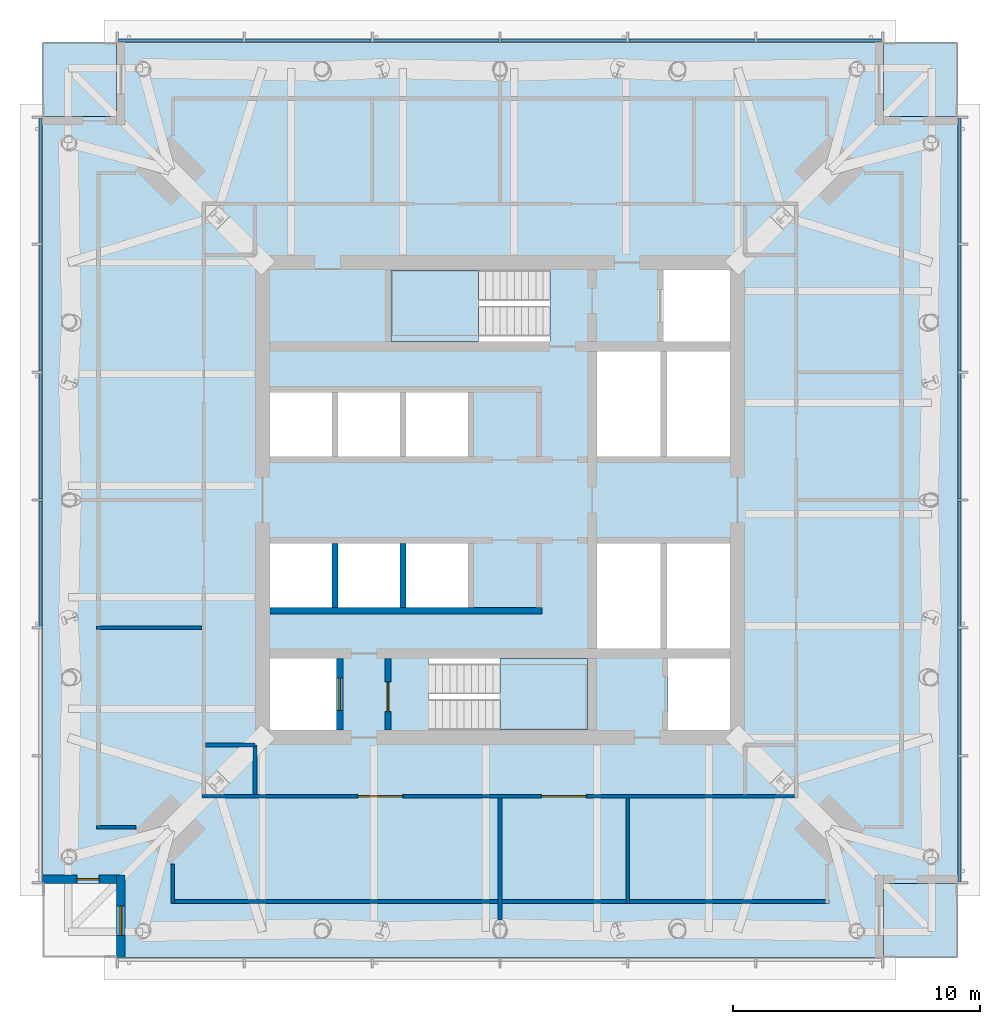
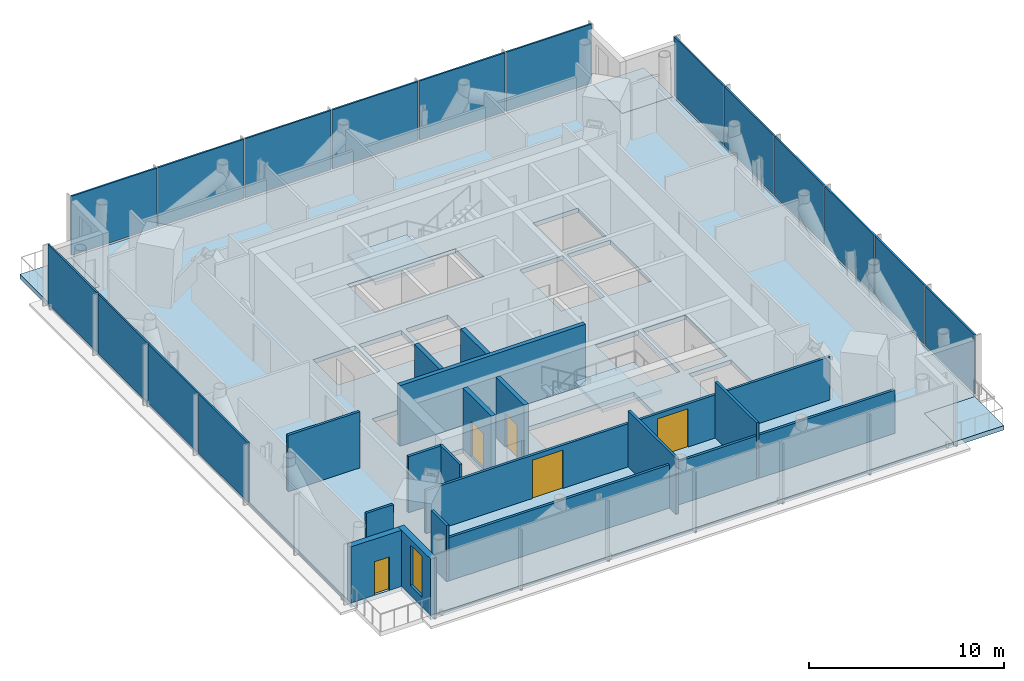
# One storey, part 4 of 10: 16 plates, 16 walls, 6 slabs, 5 doors, 1 window, 6 openings, 5 elements without a shape of their own.
"""IFC4 building model written with IfcOpenShell, lengths in metres."""

import ifcopenshell
import ifcopenshell.guid

model = None  # the IFC model being written
_history = None  # IfcOwnerHistory: only IFC2X3 demands one
_inside = {}  # id of a spatial element -> (the spatial element, [elements in it])
_under = {}  # id of a project, library or spatial element -> (it, [spatial elements below it])
_declared = {}  # id of a project -> (the project, [libraries it declares])
_typed = {}  # id of a type object -> (the type object, [elements of that type])
_made_of = {}  # id of a material, layer set ... -> (it, [elements and type objects made of it])


def new_model(schema):
    """Start an empty IFC model of exactly this schema.

    Asked for "IFC4X3", IfcOpenShell would pick the latest addendum, in which some entities
    have other attributes; the version numbers below select the first issue.
    IFC2X3 requires an IfcOwnerHistory on every rooted entity: one is made here for all.
    """
    global model, _history
    if schema == "IFC4X3":
        model = ifcopenshell.file(schema_version=(4, 3, 0, 0))
    else:
        model = ifcopenshell.file(schema=schema)
    _inside.clear()
    _under.clear()
    _declared.clear()
    _typed.clear()
    _made_of.clear()
    _history = None
    if model.schema == "IFC2X3":
        org = make("IfcOrganization", Name="unknown")
        user = make(
            "IfcPersonAndOrganization",
            ThePerson=make("IfcPerson", FamilyName="unknown"),
            TheOrganization=org,
        )
        app = make(
            "IfcApplication",
            ApplicationDeveloper=org,
            Version="unknown",
            ApplicationFullName="unknown",
            ApplicationIdentifier="unknown",
        )
        _history = make(
            "IfcOwnerHistory",
            OwningUser=user,
            OwningApplication=app,
            ChangeAction="ADDED",
            CreationDate=0,
        )
    return model


def make(cls, **values):
    """One entity of the class cls with the attributes given. An attribute that is None is left unset."""
    return model.create_entity(
        cls, **{name: value for name, value in values.items() if value is not None}
    )


def rooted(cls, **values):
    """An entity with a GlobalId (a new one), such as an element, a storey or a relation."""
    return make(cls, GlobalId=ifcopenshell.guid.new(), OwnerHistory=_history, **values)


def si_unit(unit_type, name, prefix=None):
    """IfcSIUnit, for example si_unit("LENGTHUNIT", "METRE", prefix="MILLI")."""
    return make("IfcSIUnit", UnitType=unit_type, Prefix=prefix, Name=name)


def assignment(units):
    """IfcUnitAssignment: the units of a project."""
    return None if units is None else make("IfcUnitAssignment", Units=units)


def point(xyz):
    """IfcCartesianPoint."""
    return None if xyz is None else make("IfcCartesianPoint", Coordinates=xyz)


def direction(xyz):
    """IfcDirection."""
    return None if xyz is None else make("IfcDirection", DirectionRatios=xyz)


def frame(location, z_axis=None, x_axis=None):
    """IfcAxis2Placement3D, a coordinate frame: its origin and axes. An axis left out is left unset."""
    return make(
        "IfcAxis2Placement3D",
        Location=point(location),
        Axis=direction(z_axis),
        RefDirection=direction(x_axis),
    )


def frame_2d(location, x_axis=None):
    """IfcAxis2Placement2D, a coordinate frame in the plane: its origin and x axis."""
    return make(
        "IfcAxis2Placement2D", Location=point(location), RefDirection=direction(x_axis)
    )


def origin():
    """The frame at (0, 0, 0) with its axes left unset."""
    return frame((0.0, 0.0, 0.0))


def origin_2d():
    """The frame at (0, 0) in the plane with its x axis left unset."""
    return frame_2d((0.0, 0.0))


def place(relative_to, where):
    """IfcLocalPlacement: puts the frame where relative to a parent placement (None: the world)."""
    return make(
        "IfcLocalPlacement", PlacementRelTo=relative_to, RelativePlacement=where
    )


def context(
    kind, dimensions, precision=None, world=None, true_north=None, identifier=None
):
    """IfcGeometricRepresentationContext, for example the 3D "Model" context."""
    return make(
        "IfcGeometricRepresentationContext",
        ContextIdentifier=identifier,
        ContextType=kind,
        CoordinateSpaceDimension=dimensions,
        Precision=precision,
        WorldCoordinateSystem=world,
        TrueNorth=true_north,
    )


def subcontext(parent, identifier, kind, view, scale=None):
    """IfcGeometricRepresentationSubContext, for example "Body" below "Model"."""
    return make(
        "IfcGeometricRepresentationSubContext",
        ContextIdentifier=identifier,
        ContextType=kind,
        ParentContext=parent,
        TargetScale=scale,
        TargetView=view,
    )


def project(units=None, contexts=None):
    """IfcProject with its units and contexts."""
    return rooted(
        "IfcProject",
        Name="project",
        RepresentationContexts=contexts,
        UnitsInContext=assignment(units),
    )


def spatial(cls, under=None, at=None, **own):
    """A site, building, storey or space (cls), placed at a placement, below another one or the project."""
    s = rooted(cls, ObjectPlacement=at, **own)
    if under is not None:
        _under.setdefault(under.id(), (under, []))[1].append(s)
    return s


def polyline(points):
    """IfcPolyline through the points."""
    return make("IfcPolyline", Points=[point(p) for p in points])


def profile(cls, at=None, kind="AREA", **sizes):
    """A parametric profile (cls). Its sizes go by their IFC names, for example OverallWidth=200.0."""
    return make(cls, ProfileType=kind, Position=at, **sizes)


def rectangle(**sizes):
    """IfcRectangleProfileDef."""
    return profile("IfcRectangleProfileDef", **sizes)


def outline(outer, holes=None, kind="AREA"):
    """IfcArbitraryClosedProfileDef: a profile drawn as a closed curve; with holes, ...WithVoids."""
    if holes is None:
        return make("IfcArbitraryClosedProfileDef", ProfileType=kind, OuterCurve=outer)
    return make(
        "IfcArbitraryProfileDefWithVoids",
        ProfileType=kind,
        OuterCurve=outer,
        InnerCurves=holes,
    )


def extrude(swept, where, along, depth):
    """IfcExtrudedAreaSolid: the profile swept, set in the frame where, extruded along a direction by depth."""
    return make(
        "IfcExtrudedAreaSolid",
        SweptArea=swept,
        Position=where,
        ExtrudedDirection=direction(along),
        Depth=depth,
    )


def shape(context_of_items, identifier, shape_type, items):
    """IfcShapeRepresentation: the items that make up one representation, for example the "Body"."""
    return make(
        "IfcShapeRepresentation",
        ContextOfItems=context_of_items,
        RepresentationIdentifier=identifier,
        RepresentationType=shape_type,
        Items=items,
    )


def material(Name=None, Category=None):
    """IfcMaterial."""
    return make("IfcMaterial", Name=Name, Category=Category)


def layer(
    of_material, thickness, ventilated=None, Name=None, Category=None, Priority=None
):
    """IfcMaterialLayer: one layer of a wall or slab, of a material (None: an air gap)."""
    return make(
        "IfcMaterialLayer",
        Material=of_material,
        LayerThickness=thickness,
        IsVentilated=ventilated,
        Name=Name,
        Category=Category,
        Priority=Priority,
    )


def layer_set(layers, Name=None):
    """IfcMaterialLayerSet."""
    return make("IfcMaterialLayerSet", MaterialLayers=layers, LayerSetName=Name)


def made_of(thing, what):
    """Note that an element or type object is made of a material, layer set ...; save() writes the relation."""
    if what is not None:
        _made_of.setdefault(what.id(), (what, []))[1].append(thing)
    return thing


def type_object(cls, material=None, **own):
    """A type object (cls), such as IfcWallType, which elements share."""
    return made_of(rooted(cls, **own), material)


def element(
    cls,
    number,
    at=None,
    inside=None,
    cuts=None,
    type_object=None,
    material=None,
    context=None,
    identifier="Body",
    shape_type=None,
    held_by="IfcProductDefinitionShape",
    body=None,
    shapes=None,
    **own,
):
    """One element of the class cls, such as IfcWall. Its Tag is "e" and its number.

    at: its placement. inside: the storey or other place that contains it. cuts: it is an
    opening in that element (IfcRelVoidsElement). A single representation is given by context,
    identifier, shape_type and body (its items); several are given by shapes. held_by: the class
    of the entity that holds the representations. save() writes the other relations.
    """
    e = rooted(cls, Tag="e%d" % number, ObjectPlacement=at, **own)
    if body is not None:
        shapes = [shape(context, identifier, shape_type, body)]
    if shapes is not None:
        e.Representation = make(held_by, Representations=shapes)
    if inside is not None:
        _inside.setdefault(inside.id(), (inside, []))[1].append(e)
    if cuts is not None:
        rooted(
            "IfcRelVoidsElement", RelatingBuildingElement=cuts, RelatedOpeningElement=e
        )
    if type_object is not None:
        _typed.setdefault(type_object.id(), (type_object, []))[1].append(e)
    return made_of(e, material)


def fill(opening, filler):
    """IfcRelFillsElement: the door or window that sits in an opening."""
    return rooted(
        "IfcRelFillsElement",
        RelatingOpeningElement=opening,
        RelatedBuildingElement=filler,
    )


def aggregate(whole, parts):
    """IfcRelAggregates: a whole, such as a stair, and the parts it consists of."""
    return rooted("IfcRelAggregates", RelatingObject=whole, RelatedObjects=parts)


def save(model, path):
    """Write the relations noted so far, then the file.

    IfcRelAggregates (storeys below a building ...), IfcRelContainedInSpatialStructure (elements
    in a storey), IfcRelDefinesByType, IfcRelAssociatesMaterial and IfcRelDeclares: one each for
    every whole, place, type object, material and project.
    """
    for whole, parts in _under.values():
        aggregate(whole, parts)
    for where, things in _inside.values():
        rooted(
            "IfcRelContainedInSpatialStructure",
            RelatedElements=things,
            RelatingStructure=where,
        )
    for kind, things in _typed.values():
        rooted("IfcRelDefinesByType", RelatedObjects=things, RelatingType=kind)
    for what, things in _made_of.values():
        rooted("IfcRelAssociatesMaterial", RelatedObjects=things, RelatingMaterial=what)
    for by, libraries in _declared.values():
        rooted("IfcRelDeclares", RelatingContext=by, RelatedDefinitions=libraries)
    model.write(path)


model = new_model("IFC4")

# Units and contexts
model_context = context("Model", 3, precision=1e-05, world=origin(), true_north=direction((0.0, 1.0)))
body_context = subcontext(model_context, "Body", "Model", "MODEL_VIEW")
ifc_project = project(units=[si_unit("LENGTHUNIT", "METRE"), si_unit("AREAUNIT", "SQUARE_METRE"), si_unit("VOLUMEUNIT", "CUBIC_METRE"), si_unit("PLANEANGLEUNIT", "RADIAN"), si_unit("MASSUNIT", "GRAM", prefix="KILO")], contexts=[model_context])

# Site, building, storey
site_placement = place(None, origin())
site = spatial("IfcSite", under=ifc_project, at=site_placement, CompositionType="ELEMENT")
building_placement = place(site_placement, origin())
building = spatial("IfcBuilding", under=site, at=building_placement, Name="Ostroluk Exchange", CompositionType="ELEMENT")
storey_placement = place(building_placement, frame((0.0, 0.0, 226.199951171875)))
storey = spatial("IfcBuildingStorey", under=building, at=storey_placement, Name="L58", CompositionType="ELEMENT", Elevation=226.199951171875)

# Curtain wall, plates
ifc_material_1 = material(Name="Laminated clear glass", Category="glass")
curtain_wall_type = type_object("IfcCurtainWallType", Name="Office tower plant and sky lobby facade", PredefinedType="USERDEFINED", material=ifc_material_1)
curtain_wall_1_placement = place(storey_placement, origin())
curtain_wall_1 = element("IfcCurtainWall", 1, at=curtain_wall_1_placement, inside=storey, type_object=curtain_wall_type, Name="Office tower east facade L58", ObjectType="LOUVRED CURTAIN WALL", PredefinedType="USERDEFINED")
ifc_material_2 = material(Name="Aluminium louvre", Category="aluminium")
ifc_layer_1 = layer(ifc_material_2, 0.10009765625)
ifc_layer_set_1 = layer_set([ifc_layer_1], Name="Aluminium louvre panel 100")
plate_type = type_object("IfcPlateType", Name="Aluminium louvre panel 100", PredefinedType="USERDEFINED", material=ifc_layer_set_1)
plate_1_placement = place(storey_placement, frame((63.574951171875, 33.103271484375, 0.080078125), z_axis=(0.0, 0.0, 1.0), x_axis=(0.0, 1.0, 0.0)))
plate_1 = element("IfcPlate", 2, at=plate_1_placement, type_object=plate_type, Name="CW-P1 panel 1.1", ObjectType="LOUVRE PANEL", PredefinedType="USERDEFINED", context=body_context, shape_type="SweptSolid", body=[
    extrude(rectangle(XDim=5.046630859375, YDim=0.10009765625, at=origin_2d()), origin(), (0.0, 0.0, 1.0), 3.719970703125),
])
plate_2_placement = place(storey_placement, frame((63.574951171875, 38.25, 0.080078125), z_axis=(0.0, 0.0, 1.0), x_axis=(0.0, 1.0, 0.0)))
plate_2 = element("IfcPlate", 3, at=plate_2_placement, type_object=plate_type, Name="CW-P1 panel 2.1", ObjectType="LOUVRE PANEL", PredefinedType="USERDEFINED", context=body_context, shape_type="SweptSolid", body=[
    extrude(rectangle(XDim=5.086669921875, YDim=0.10009765625, at=origin_2d()), origin(), (0.0, 0.0, 1.0), 3.719970703125),
])
plate_3_placement = place(storey_placement, frame((63.574951171875, 43.416748046875, 0.080078125), z_axis=(0.0, 0.0, 1.0), x_axis=(0.0, 1.0, 0.0)))
plate_3 = element("IfcPlate", 4, at=plate_3_placement, type_object=plate_type, Name="CW-P1 panel 3.1", ObjectType="LOUVRE PANEL", PredefinedType="USERDEFINED", context=body_context, shape_type="SweptSolid", body=[
    extrude(rectangle(XDim=5.086669921875, YDim=0.10009765625, at=origin_2d()), origin(), (0.0, 0.0, 1.0), 3.719970703125),
])
plate_4_placement = place(storey_placement, frame((63.574951171875, 48.583251953125, 0.080078125), z_axis=(0.0, 0.0, 1.0), x_axis=(0.0, 1.0, 0.0)))
plate_4 = element("IfcPlate", 5, at=plate_4_placement, type_object=plate_type, Name="CW-P1 panel 4.1", ObjectType="LOUVRE PANEL", PredefinedType="USERDEFINED", context=body_context, shape_type="SweptSolid", body=[
    extrude(rectangle(XDim=5.086669921875, YDim=0.10009765625, at=origin_2d()), origin(), (0.0, 0.0, 1.0), 3.719970703125),
])
plate_5_placement = place(storey_placement, frame((63.574951171875, 53.75, 0.080078125), z_axis=(0.0, 0.0, 1.0), x_axis=(0.0, 1.0, 0.0)))
plate_5 = element("IfcPlate", 6, at=plate_5_placement, type_object=plate_type, Name="CW-P1 panel 5.1", ObjectType="LOUVRE PANEL", PredefinedType="USERDEFINED", context=body_context, shape_type="SweptSolid", body=[
    extrude(rectangle(XDim=5.086669921875, YDim=0.10009765625, at=origin_2d()), origin(), (0.0, 0.0, 1.0), 3.719970703125),
])
plate_6_placement = place(storey_placement, frame((63.574951171875, 58.896728515625, 0.080078125), z_axis=(0.0, 0.0, 1.0), x_axis=(0.0, 1.0, 0.0)))
plate_6 = element("IfcPlate", 7, at=plate_6_placement, type_object=plate_type, Name="CW-P1 panel 6.1", ObjectType="LOUVRE PANEL", PredefinedType="USERDEFINED", context=body_context, shape_type="SweptSolid", body=[
    extrude(rectangle(XDim=5.046630859375, YDim=0.10009765625, at=origin_2d()), origin(), (0.0, 0.0, 1.0), 3.719970703125),
])
aggregate(curtain_wall_1, [plate_1, plate_2, plate_3, plate_4, plate_5, plate_6])

curtain_wall_2_placement = place(storey_placement, origin())
curtain_wall_2 = element("IfcCurtainWall", 8, at=curtain_wall_2_placement, inside=storey, type_object=curtain_wall_type, Name="Office tower north facade L58", ObjectType="LOUVRED CURTAIN WALL", PredefinedType="USERDEFINED")
plate_7_placement = place(storey_placement, frame((57.896728515625, 64.574951171875, 0.080078125), z_axis=(0.0, 0.0, 1.0), x_axis=(-1.0, 0.0, 0.0)))
plate_7 = element("IfcPlate", 9, at=plate_7_placement, type_object=plate_type, Name="CW-P1 panel 1.1", ObjectType="LOUVRE PANEL", PredefinedType="USERDEFINED", context=body_context, shape_type="SweptSolid", body=[
    extrude(rectangle(XDim=5.046630859375, YDim=0.10009765625, at=origin_2d()), origin(), (0.0, 0.0, 1.0), 3.719970703125),
])
plate_8_placement = place(storey_placement, frame((52.75, 64.574951171875, 0.080078125), z_axis=(0.0, 0.0, 1.0), x_axis=(-1.0, 0.0, 0.0)))
plate_8 = element("IfcPlate", 10, at=plate_8_placement, type_object=plate_type, Name="CW-P1 panel 2.1", ObjectType="LOUVRE PANEL", PredefinedType="USERDEFINED", context=body_context, shape_type="SweptSolid", body=[
    extrude(rectangle(XDim=5.086669921875, YDim=0.10009765625, at=origin_2d()), origin(), (0.0, 0.0, 1.0), 3.719970703125),
])
plate_9_placement = place(storey_placement, frame((47.583251953125, 64.574951171875, 0.080078125), z_axis=(0.0, 0.0, 1.0), x_axis=(-1.0, 0.0, 0.0)))
plate_9 = element("IfcPlate", 11, at=plate_9_placement, type_object=plate_type, Name="CW-P1 panel 3.1", ObjectType="LOUVRE PANEL", PredefinedType="USERDEFINED", context=body_context, shape_type="SweptSolid", body=[
    extrude(rectangle(XDim=5.086669921875, YDim=0.10009765625, at=origin_2d()), origin(), (0.0, 0.0, 1.0), 3.719970703125),
])
plate_10_placement = place(storey_placement, frame((42.416748046875, 64.574951171875, 0.080078125), z_axis=(0.0, 0.0, 1.0), x_axis=(-1.0, 0.0, 0.0)))
plate_10 = element("IfcPlate", 12, at=plate_10_placement, type_object=plate_type, Name="CW-P1 panel 4.1", ObjectType="LOUVRE PANEL", PredefinedType="USERDEFINED", context=body_context, shape_type="SweptSolid", body=[
    extrude(rectangle(XDim=5.086669921875, YDim=0.10009765625, at=origin_2d()), origin(), (0.0, 0.0, 1.0), 3.719970703125),
])
plate_11_placement = place(storey_placement, frame((37.25, 64.574951171875, 0.080078125), z_axis=(0.0, 0.0, 1.0), x_axis=(-1.0, 0.0, 0.0)))
plate_11 = element("IfcPlate", 13, at=plate_11_placement, type_object=plate_type, Name="CW-P1 panel 5.1", ObjectType="LOUVRE PANEL", PredefinedType="USERDEFINED", context=body_context, shape_type="SweptSolid", body=[
    extrude(rectangle(XDim=5.086669921875, YDim=0.10009765625, at=origin_2d()), origin(), (0.0, 0.0, 1.0), 3.719970703125),
])
plate_12_placement = place(storey_placement, frame((32.103271484375, 64.574951171875, 0.080078125), z_axis=(0.0, 0.0, 1.0), x_axis=(-1.0, 0.0, 0.0)))
plate_12 = element("IfcPlate", 14, at=plate_12_placement, type_object=plate_type, Name="CW-P1 panel 6.1", ObjectType="LOUVRE PANEL", PredefinedType="USERDEFINED", context=body_context, shape_type="SweptSolid", body=[
    extrude(rectangle(XDim=5.046630859375, YDim=0.10009765625, at=origin_2d()), origin(), (0.0, 0.0, 1.0), 3.719970703125),
])
aggregate(curtain_wall_2, [plate_7, plate_8, plate_9, plate_10, plate_11, plate_12])

curtain_wall_3_placement = place(storey_placement, origin())
curtain_wall_3 = element("IfcCurtainWall", 15, at=curtain_wall_3_placement, inside=storey, type_object=curtain_wall_type, Name="Office tower west facade L58", ObjectType="LOUVRED CURTAIN WALL", PredefinedType="USERDEFINED")
plate_13_placement = place(storey_placement, frame((26.425048828125, 58.896728515625, 0.080078125), z_axis=(0.0, 0.0, 1.0), x_axis=(0.0, -1.0, 0.0)))
plate_13 = element("IfcPlate", 16, at=plate_13_placement, type_object=plate_type, Name="CW-P1 panel 1.1", ObjectType="LOUVRE PANEL", PredefinedType="USERDEFINED", context=body_context, shape_type="SweptSolid", body=[
    extrude(rectangle(XDim=5.046630859375, YDim=0.10009765625, at=origin_2d()), origin(), (0.0, 0.0, 1.0), 3.719970703125),
])
plate_14_placement = place(storey_placement, frame((26.425048828125, 53.75, 0.080078125), z_axis=(0.0, 0.0, 1.0), x_axis=(0.0, -1.0, 0.0)))
plate_14 = element("IfcPlate", 17, at=plate_14_placement, type_object=plate_type, Name="CW-P1 panel 2.1", ObjectType="LOUVRE PANEL", PredefinedType="USERDEFINED", context=body_context, shape_type="SweptSolid", body=[
    extrude(rectangle(XDim=5.086669921875, YDim=0.10009765625, at=origin_2d()), origin(), (0.0, 0.0, 1.0), 3.719970703125),
])
plate_15_placement = place(storey_placement, frame((26.425048828125, 48.583251953125, 0.080078125), z_axis=(0.0, 0.0, 1.0), x_axis=(0.0, -1.0, 0.0)))
plate_15 = element("IfcPlate", 18, at=plate_15_placement, type_object=plate_type, Name="CW-P1 panel 3.1", ObjectType="LOUVRE PANEL", PredefinedType="USERDEFINED", context=body_context, shape_type="SweptSolid", body=[
    extrude(rectangle(XDim=5.086669921875, YDim=0.10009765625, at=origin_2d()), origin(), (0.0, 0.0, 1.0), 3.719970703125),
])
plate_16_placement = place(storey_placement, frame((26.425048828125, 43.416748046875, 0.080078125), z_axis=(0.0, 0.0, 1.0), x_axis=(0.0, -1.0, 0.0)))
plate_16 = element("IfcPlate", 19, at=plate_16_placement, type_object=plate_type, Name="CW-P1 panel 4.1", ObjectType="LOUVRE PANEL", PredefinedType="USERDEFINED", context=body_context, shape_type="SweptSolid", body=[
    extrude(rectangle(XDim=5.086669921875, YDim=0.10009765625, at=origin_2d()), origin(), (0.0, 0.0, 1.0), 3.719970703125),
])
aggregate(curtain_wall_3, [plate_13, plate_14, plate_15, plate_16])

# Slabs
ifc_material_3 = material(Name="Concrete C35/45", Category="concrete")
ifc_layer_2 = layer(ifc_material_3, 0.280029296875)
ifc_layer_set_2 = layer_set([ifc_layer_2], Name="Maintenance platform slab 280")
slab_type_1 = type_object("IfcSlabType", Name="Maintenance platform slab 280", PredefinedType="USERDEFINED", material=ifc_layer_set_2)
slab_1_placement = place(storey_placement, frame((0.0, 0.0, -0.280029296875)))
element("IfcSlab", 20, at=slab_1_placement, inside=storey, type_object=slab_type_1, Name="Office tower SE maintenance platform L58", ObjectType="MAINTENANCE PLATFORM", PredefinedType="USERDEFINED", context=body_context, shape_type="SweptSolid", body=[
    extrude(outline(polyline([(60.5, 27.5), (63.5, 27.5), (63.5, 30.5), (60.5, 30.5), (60.5, 27.5)])), origin(), (0.0, 0.0, 1.0), 0.280029296875),
])
slab_2_placement = place(storey_placement, frame((0.0, 0.0, -0.280029296875)))
element("IfcSlab", 21, at=slab_2_placement, inside=storey, type_object=slab_type_1, Name="Office tower NE maintenance platform L58", ObjectType="MAINTENANCE PLATFORM", PredefinedType="USERDEFINED", context=body_context, shape_type="SweptSolid", body=[
    extrude(outline(polyline([(60.5, 61.5), (63.5, 61.5), (63.5, 64.5), (60.5, 64.5), (60.5, 61.5)])), origin(), (0.0, 0.0, 1.0), 0.280029296875),
])
slab_3_placement = place(storey_placement, frame((0.0, 0.0, -0.280029296875)))
element("IfcSlab", 22, at=slab_3_placement, inside=storey, type_object=slab_type_1, Name="Office tower NW maintenance platform L58", ObjectType="MAINTENANCE PLATFORM", PredefinedType="USERDEFINED", context=body_context, shape_type="SweptSolid", body=[
    extrude(outline(polyline([(26.5, 61.5), (29.5, 61.5), (29.5, 64.5), (26.5, 64.5), (26.5, 61.5)])), origin(), (0.0, 0.0, 1.0), 0.280029296875),
])

# Stair, slab
ifc_material_4 = material(Name="Concrete C30/37", Category="concrete")
stair_type = type_object("IfcStairType", Name="Exit stair half turn 3800", PredefinedType="HALF_TURN_STAIR", material=ifc_material_4)
stair_1_placement = place(storey_placement, origin())
stair_1 = element("IfcStair", 23, at=stair_1_placement, inside=storey, type_object=stair_type, Name="Stair T1-S1 L58", PredefinedType="HALF_TURN_STAIR")
ifc_material_5 = material(Name="Concrete C30/37", Category="concrete")
ifc_layer_3 = layer(ifc_material_5, 0.199951171875)
ifc_layer_set_3 = layer_set([ifc_layer_3], Name="Stair landing 200")
slab_type_2 = type_object("IfcSlabType", Name="Stair landing 200", PredefinedType="LANDING", material=ifc_layer_set_3)
slab_4_placement = place(storey_placement, frame((0.0, 0.0, 1.699951171875)))
slab_4 = element("IfcSlab", 24, at=slab_4_placement, type_object=slab_type_2, Name="T1-S1 landing 1", PredefinedType="LANDING", context=body_context, shape_type="SweptSolid", body=[
    extrude(outline(polyline([(45.0, 36.699951171875), (45.0, 39.60009765625), (48.530029296875, 39.60009765625), (48.530029296875, 36.699951171875), (45.0, 36.699951171875)])), origin(), (0.0, 0.0, 1.0), 0.2001953125),
])
aggregate(stair_1, [slab_4])

stair_2_placement = place(storey_placement, origin())
stair_2 = element("IfcStair", 25, at=stair_2_placement, inside=storey, type_object=stair_type, Name="Stair T1-S2 L58", PredefinedType="HALF_TURN_STAIR")
slab_5_placement = place(storey_placement, frame((0.0, 0.0, 1.699951171875)))
slab_5 = element("IfcSlab", 26, at=slab_5_placement, type_object=slab_type_2, Name="T1-S2 landing 1", PredefinedType="LANDING", context=body_context, shape_type="SweptSolid", body=[
    extrude(outline(polyline([(44.1298828125, 52.39990234375), (44.1298828125, 55.300048828125), (40.60009765625, 55.300048828125), (40.60009765625, 52.39990234375), (44.1298828125, 52.39990234375)])), origin(), (0.0, 0.0, 1.0), 0.2001953125),
])
aggregate(stair_2, [slab_5])

# Slab
ifc_material_6 = material(Name="Concrete C35/45", Category="concrete")
ifc_layer_4 = layer(ifc_material_6, 0.280029296875)
ifc_layer_set_4 = layer_set([ifc_layer_4], Name="Tower floor slab 280")
slab_type_3 = type_object("IfcSlabType", Name="Tower floor slab 280", PredefinedType="FLOOR", material=ifc_layer_set_4)
slab_6_placement = place(storey_placement, frame((0.0, 0.0, -0.280029296875)))
element("IfcSlab", 27, at=slab_6_placement, inside=storey, type_object=slab_type_3, Name="Office tower floor slab L58", PredefinedType="FLOOR", context=body_context, shape_type="SweptSolid", body=[
    extrude(outline(polyline([(29.5, 27.5), (60.5, 27.5), (60.5, 30.5), (63.5, 30.5), (63.5, 61.5), (60.5, 61.5), (60.5, 64.5), (29.5, 64.5), (29.5, 61.5), (26.5, 61.5), (26.5, 30.5), (29.5, 30.5), (29.5, 27.5)]), holes=[polyline([(35.699951171875, 36.699951171875), (38.39990234375, 36.699951171875), (38.39990234375, 39.60009765625), (35.699951171875, 39.60009765625), (35.699951171875, 36.699951171875)]), polyline([(42.110107421875, 36.699951171875), (48.530029296875, 36.699951171875), (48.530029296875, 39.60009765625), (42.110107421875, 39.60009765625), (42.110107421875, 36.699951171875)]), polyline([(51.800048828125, 36.699951171875), (54.300048828125, 36.699951171875), (54.300048828125, 39.60009765625), (51.800048828125, 39.60009765625), (51.800048828125, 36.699951171875)]), polyline([(40.60009765625, 52.39990234375), (47.02001953125, 52.39990234375), (47.02001953125, 55.300048828125), (40.60009765625, 55.300048828125), (40.60009765625, 52.39990234375)]), polyline([(51.60009765625, 52.39990234375), (54.300048828125, 52.39990234375), (54.300048828125, 55.300048828125), (51.60009765625, 55.300048828125), (51.60009765625, 52.39990234375)]), polyline([(35.699951171875, 47.75), (38.199951171875, 47.75), (38.199951171875, 50.35009765625), (35.699951171875, 50.35009765625), (35.699951171875, 47.75)]), polyline([(38.449951171875, 47.75), (40.949951171875, 47.75), (40.949951171875, 50.35009765625), (38.449951171875, 50.35009765625), (38.449951171875, 47.75)]), polyline([(41.199951171875, 47.75), (43.699951171875, 47.75), (43.699951171875, 50.35009765625), (41.199951171875, 50.35009765625), (41.199951171875, 47.75)]), polyline([(35.699951171875, 41.64990234375), (38.199951171875, 41.64990234375), (38.199951171875, 44.25), (35.699951171875, 44.25), (35.699951171875, 41.64990234375)]), polyline([(38.449951171875, 41.64990234375), (40.949951171875, 41.64990234375), (40.949951171875, 44.25), (38.449951171875, 44.25), (38.449951171875, 41.64990234375)]), polyline([(41.199951171875, 41.64990234375), (43.699951171875, 41.64990234375), (43.699951171875, 44.25), (41.199951171875, 44.25), (41.199951171875, 41.64990234375)]), polyline([(48.929931640625, 47.75), (51.489990234375, 47.75), (51.489990234375, 52.0), (48.929931640625, 52.0), (48.929931640625, 47.75)]), polyline([(51.739990234375, 47.75), (54.300048828125, 47.75), (54.300048828125, 52.0), (51.739990234375, 52.0), (51.739990234375, 47.75)]), polyline([(48.929931640625, 40.0), (51.489990234375, 40.0), (51.489990234375, 44.25), (48.929931640625, 44.25), (48.929931640625, 40.0)]), polyline([(51.739990234375, 40.0), (54.300048828125, 40.0), (54.300048828125, 44.25), (51.739990234375, 44.25), (51.739990234375, 40.0)])]), origin(), (0.0, 0.0, 1.0), 0.280029296875),
])

# Walls
ifc_material_7 = material(Name="Concrete blockwork", Category="masonry")
ifc_layer_5 = layer(ifc_material_7, 0.14990234375)
ifc_layer_set_5 = layer_set([ifc_layer_5], Name="Blockwork plant room wall 150")
wall_type_1 = type_object("IfcWallType", Name="Blockwork plant room wall 150", PredefinedType="SOLIDWALL", material=ifc_layer_set_5)
wall_1_placement = place(storey_placement, frame((32.949951171875, 40.833251953125, 0.0), z_axis=(0.0, 0.0, 1.0), x_axis=(-1.0, 0.0, 0.0)))
element("IfcWall", 28, at=wall_1_placement, inside=storey, type_object=wall_type_1, Name="Plant room wall", PredefinedType="SOLIDWALL", context=body_context, shape_type="SweptSolid", body=[
    extrude(rectangle(XDim=4.25, YDim=0.14990234375, at=frame_2d((2.125, 0.0))), origin(), (0.0, 0.0, 1.0), 3.52001953125),
])
wall_2_placement = place(storey_placement, frame((45.0, 33.949951171875, 0.0), z_axis=(0.0, 0.0, 1.0), x_axis=(0.0, -1.0, 0.0)))
element("IfcWall", 29, at=wall_2_placement, inside=storey, type_object=wall_type_1, Name="Plant room wall", PredefinedType="SOLIDWALL", context=body_context, shape_type="SweptSolid", body=[
    extrude(rectangle(XDim=4.919921875, YDim=0.14990234375, at=frame_2d((2.4599609375, 0.0))), origin(), (0.0, 0.0, 1.0), 3.52001953125),
])

# Wall, openings, doors
wall_3_placement = place(storey_placement, frame((32.949951171875, 34.02490234375, 0.0), z_axis=(0.0, 0.0, 1.0), x_axis=(1.0, 0.0, 0.0)))
wall_3 = element("IfcWall", 30, at=wall_3_placement, inside=storey, type_object=wall_type_1, Name="Plant room wall", PredefinedType="SOLIDWALL", context=body_context, shape_type="SweptSolid", body=[
    extrude(rectangle(XDim=23.949951171875, YDim=0.14990234375, at=frame_2d((11.97509765625, 0.0))), origin(), (0.0, 0.0, 1.0), 2.7060546875),
])
opening_1_placement = place(wall_3_placement, frame((6.3125, 0.0, 0.0)))
opening_1 = element("IfcOpeningElement", 31, at=opening_1_placement, cuts=wall_3, Name="Opening D-05", PredefinedType="OPENING", context=body_context, shape_type="SweptSolid", body=[
    extrude(rectangle(XDim=1.800048828125, YDim=2.39990234375, at=frame_2d((0.89990234375, 1.199951171875))), frame((0.0, 0.0849609375, 0.0), z_axis=(0.0, -1.0, 0.0), x_axis=(1.0, 0.0, 0.0)), (0.0, 0.0, 1.0), 0.169921875),
])
opening_2_placement = place(wall_3_placement, frame((13.7333984375, 0.0, 0.0)))
opening_2 = element("IfcOpeningElement", 32, at=opening_2_placement, cuts=wall_3, Name="Opening D-05", PredefinedType="OPENING", context=body_context, shape_type="SweptSolid", body=[
    extrude(rectangle(XDim=1.800048828125, YDim=2.39990234375, at=frame_2d((0.89990234375, 1.199951171875))), frame((0.0, 0.0849609375, 0.0), z_axis=(0.0, -1.0, 0.0), x_axis=(1.0, 0.0, 0.0)), (0.0, 0.0, 1.0), 0.169921875),
])
ifc_material_8 = material(Name="Steel", Category="steel")
door_type_1 = type_object("IfcDoorType", Name="Plant room double door EI 60 1800 x 2400", OperationType="DOUBLE_DOOR_SINGLE_SWING", PredefinedType="DOOR", material=ifc_material_8)
door_1_placement = place(opening_1_placement, origin())
door_1 = element("IfcDoor", 33, at=door_1_placement, inside=storey, type_object=door_type_1, Name="Sprinkler pump room door", OperationType="DOUBLE_DOOR_SINGLE_SWING", OverallHeight=2.39990234375, OverallWidth=1.800048828125, PredefinedType="DOOR", context=body_context, shape_type="SweptSolid", body=[
    extrude(rectangle(XDim=1.800048828125, YDim=2.39990234375, at=frame_2d((0.89990234375, 1.199951171875))), frame((0.0, 0.02490234375, 0.0), z_axis=(0.0, -1.0, 0.0), x_axis=(1.0, 0.0, 0.0)), (0.0, 0.0, 1.0), 0.050048828125),
])
fill(opening_1, door_1)
door_2_placement = place(opening_2_placement, origin())
door_2 = element("IfcDoor", 34, at=door_2_placement, inside=storey, type_object=door_type_1, Name="Chiller plant room door", OperationType="DOUBLE_DOOR_SINGLE_SWING", OverallHeight=2.39990234375, OverallWidth=1.800048828125, PredefinedType="DOOR", context=body_context, shape_type="SweptSolid", body=[
    extrude(rectangle(XDim=1.800048828125, YDim=2.39990234375, at=frame_2d((0.89990234375, 1.199951171875))), frame((0.0, 0.02490234375, 0.0), z_axis=(0.0, -1.0, 0.0), x_axis=(1.0, 0.0, 0.0)), (0.0, 0.0, 1.0), 0.050048828125),
])
fill(opening_2, door_2)

# Wall
wall_4_placement = place(storey_placement, frame((50.166748046875, 33.949951171875, 0.0), z_axis=(0.0, 0.0, 1.0), x_axis=(0.0, -1.0, 0.0)))
element("IfcWall", 35, at=wall_4_placement, inside=storey, type_object=wall_type_1, Name="Plant room wall", PredefinedType="SOLIDWALL", context=body_context, shape_type="SweptSolid", body=[
    extrude(rectangle(XDim=4.25, YDim=0.14990234375, at=frame_2d((2.125, 0.0))), origin(), (0.0, 0.0, 1.0), 3.52001953125),
])

# Wall, opening, door
ifc_material_9 = material(Name="Concrete C40/50", Category="concrete")
ifc_layer_6 = layer(ifc_material_9, 0.25)
ifc_layer_set_6 = layer_set([ifc_layer_6], Name="Core shaft wall 250")
wall_type_2 = type_object("IfcWallType", Name="Core shaft wall 250", PredefinedType="SHEAR", material=ifc_layer_set_6)
wall_5_placement = place(storey_placement, frame((38.52490234375, 36.699951171875, 0.0), z_axis=(0.0, 0.0, 1.0), x_axis=(0.0, 1.0, 0.0)))
wall_5 = element("IfcWall", 36, at=wall_5_placement, inside=storey, type_object=wall_type_2, Name="Firefighting lift shaft wall", PredefinedType="SHEAR", context=body_context, shape_type="SweptSolid", body=[
    extrude(rectangle(XDim=2.900146484375, YDim=0.25, at=frame_2d((1.4501953125, 0.0))), origin(), (0.0, 0.0, 1.0), 3.800048828125),
])
opening_3_placement = place(wall_5_placement, frame((0.800048828125, 0.0, 0.0)))
opening_3 = element("IfcOpeningElement", 37, at=opening_3_placement, cuts=wall_5, Name="Opening LD2", PredefinedType="OPENING", context=body_context, shape_type="SweptSolid", body=[
    extrude(rectangle(XDim=1.300048828125, YDim=2.199951171875, at=frame_2d((0.64990234375, 1.10009765625))), frame((0.0, 0.135009765625, 0.0), z_axis=(0.0, -1.0, 0.0), x_axis=(1.0, 0.0, 0.0)), (0.0, 0.0, 1.0), 0.27001953125),
])
ifc_material_10 = material(Name="Stainless steel", Category="steel")
door_type_2 = type_object("IfcDoorType", Name="Lift landing door E 60 1300 x 2200", OperationType="DOUBLE_DOOR_SLIDING", PredefinedType="DOOR", material=ifc_material_10)
door_3_placement = place(opening_3_placement, origin())
door_3 = element("IfcDoor", 38, at=door_3_placement, inside=storey, type_object=door_type_2, Name="Lift FL1 landing door", OperationType="DOUBLE_DOOR_SLIDING", OverallHeight=2.199951171875, OverallWidth=1.300048828125, PredefinedType="DOOR", context=body_context, shape_type="SweptSolid", body=[
    extrude(rectangle(XDim=1.300048828125, YDim=2.199951171875, at=frame_2d((0.64990234375, 1.10009765625))), frame((0.0, 0.02490234375, 0.0), z_axis=(0.0, -1.0, 0.0), x_axis=(1.0, 0.0, 0.0)), (0.0, 0.0, 1.0), 0.050048828125),
])
fill(opening_3, door_3)

wall_6_placement = place(storey_placement, frame((40.47509765625, 36.699951171875, 0.0), z_axis=(0.0, 0.0, 1.0), x_axis=(0.0, 1.0, 0.0)))
wall_6 = element("IfcWall", 39, at=wall_6_placement, inside=storey, type_object=wall_type_2, Name="Stair shaft wall", PredefinedType="SHEAR", context=body_context, shape_type="SweptSolid", body=[
    extrude(rectangle(XDim=2.900146484375, YDim=0.25, at=frame_2d((1.4501953125, 0.0))), origin(), (0.0, 0.0, 1.0), 3.800048828125),
])
opening_4_placement = place(wall_6_placement, frame((0.75, 0.0, 0.0)))
opening_4 = element("IfcOpeningElement", 40, at=opening_4_placement, cuts=wall_6, Name="Opening FD60S", PredefinedType="OPENING", context=body_context, shape_type="SweptSolid", body=[
    extrude(rectangle(XDim=1.199951171875, YDim=2.10009765625, at=frame_2d((0.60009765625, 1.050048828125))), frame((0.0, 0.135009765625, 0.0), z_axis=(0.0, -1.0, 0.0), x_axis=(1.0, 0.0, 0.0)), (0.0, 0.0, 1.0), 0.27001953125),
])
ifc_material_11 = material(Name="Steel", Category="steel")
door_type_3 = type_object("IfcDoorType", Name="Stair door EI 60 1200 x 2100", OperationType="SINGLE_SWING_LEFT", PredefinedType="DOOR", material=ifc_material_11)
door_4_placement = place(opening_4_placement, origin())
door_4 = element("IfcDoor", 41, at=door_4_placement, inside=storey, type_object=door_type_3, Name="Stair T1-S1 door", OperationType="SINGLE_SWING_LEFT", OverallHeight=2.10009765625, OverallWidth=1.199951171875, PredefinedType="DOOR", context=body_context, shape_type="SweptSolid", body=[
    extrude(rectangle(XDim=1.199951171875, YDim=2.10009765625, at=frame_2d((0.60009765625, 1.050048828125))), frame((0.0, 0.02490234375, 0.0), z_axis=(0.0, -1.0, 0.0), x_axis=(1.0, 0.0, 0.0)), (0.0, 0.0, 1.0), 0.050048828125),
])
fill(opening_4, door_4)

# Walls
for number, where, z_axis, x_axis, name in (
    (42, (38.324951171875, 44.25, 0.0), (0.0, 0.0, 1.0), (0.0, -1.0, 0.0), "Lift shaft wall"),
    (43, (41.074951171875, 44.25, 0.0), (0.0, 0.0, 1.0), (0.0, -1.0, 0.0), "Lift shaft wall"),
):
    element("IfcWall", number, at=place(storey_placement, frame(where, z_axis=z_axis, x_axis=x_axis)), inside=storey, type_object=wall_type_2, Name=name, PredefinedType="SHEAR", context=body_context, shape_type="SweptSolid", body=[
        extrude(rectangle(XDim=2.60009765625, YDim=0.25, at=frame_2d((1.300048828125, 0.0))), origin(), (0.0, 0.0, 1.0), 3.800048828125),
    ])
wall_7_placement = place(storey_placement, frame((35.699951171875, 41.52490234375, 0.0), z_axis=(0.0, 0.0, 1.0), x_axis=(1.0, 0.0, 0.0)))
element("IfcWall", 44, at=wall_7_placement, inside=storey, type_object=wall_type_2, Name="Lift shaft wall", PredefinedType="SHEAR", context=body_context, shape_type="SweptSolid", body=[
    extrude(rectangle(XDim=11.0, YDim=0.25, at=frame_2d((5.5, 0.0))), origin(), (0.0, 0.0, 1.0), 3.800048828125),
])

# Wall, opening, window
ifc_material_12 = material(Name="Limestone", Category="masonry")
ifc_layer_7 = layer(ifc_material_12, 0.35009765625)
ifc_layer_set_7 = layer_set([ifc_layer_7], Name="Limestone facade wall 350")
wall_type_3 = type_object("IfcWallType", Name="Limestone facade wall 350", PredefinedType="SOLIDWALL", material=ifc_layer_set_7)
wall_8_placement = place(storey_placement, frame((29.675048828125, 27.5, 0.0), z_axis=(0.0, 0.0, 1.0), x_axis=(0.0, 1.0, 0.0)))
wall_8 = element("IfcWall", 45, at=wall_8_placement, inside=storey, type_object=wall_type_3, Name="Office tower SW corner wall L58 a", PredefinedType="SOLIDWALL", context=body_context, shape_type="SweptSolid", body=[
    extrude(rectangle(XDim=3.35009765625, YDim=0.35009765625, at=frame_2d((1.675048828125, 0.0))), origin(), (0.0, 0.0, 1.0), 3.52001953125),
])
opening_5_placement = place(wall_8_placement, frame((0.89990234375, 0.0, 0.60009765625)))
opening_5 = element("IfcOpeningElement", 46, at=opening_5_placement, cuts=wall_8, Name="Opening WN-LV1", PredefinedType="OPENING", context=body_context, shape_type="SweptSolid", body=[
    extrude(rectangle(XDim=1.199951171875, YDim=2.550048828125, at=frame_2d((0.60009765625, 1.27490234375))), frame((0.0, 0.18505859375, 0.0), z_axis=(0.0, -1.0, 0.0), x_axis=(1.0, 0.0, 0.0)), (0.0, 0.0, 1.0), 0.3701171875),
])
ifc_material_13 = material(Name="Aluminium louvre", Category="aluminium")
window_type = type_object("IfcWindowType", Name="Lancet louvre 1200 x 2550", PartitioningType="SINGLE_PANEL", PredefinedType="USERDEFINED", material=ifc_material_13)
window_placement = place(opening_5_placement, origin())
window = element("IfcWindow", 47, at=window_placement, inside=storey, type_object=window_type, Name="Office tower SW plant louvre L58", ObjectType="LOUVRE", OverallHeight=2.550048828125, OverallWidth=1.199951171875, PartitioningType="SINGLE_PANEL", PredefinedType="USERDEFINED", context=body_context, shape_type="SweptSolid", body=[
    extrude(rectangle(XDim=1.199951171875, YDim=2.550048828125, at=frame_2d((0.60009765625, 1.27490234375))), frame((0.0, 0.030029296875, 0.0), z_axis=(0.0, -1.0, 0.0), x_axis=(1.0, 0.0, 0.0)), (0.0, 0.0, 1.0), 0.06005859375),
])
fill(opening_5, window)

# Wall, opening, door
wall_9_placement = place(storey_placement, frame((29.5, 30.675048828125, 0.0), z_axis=(0.0, 0.0, 1.0), x_axis=(-1.0, 0.0, 0.0)))
wall_9 = element("IfcWall", 48, at=wall_9_placement, inside=storey, type_object=wall_type_3, Name="Office tower SW corner wall L58 b", PredefinedType="SOLIDWALL", context=body_context, shape_type="SweptSolid", body=[
    extrude(rectangle(XDim=3.0, YDim=0.35009765625, at=frame_2d((1.5, 0.0))), origin(), (0.0, 0.0, 1.0), 3.52001953125),
])
opening_6_placement = place(wall_9_placement, frame((0.699951171875, 0.0, 0.0)))
opening_6 = element("IfcOpeningElement", 49, at=opening_6_placement, cuts=wall_9, Name="Opening D-M1", PredefinedType="OPENING", context=body_context, shape_type="SweptSolid", body=[
    extrude(rectangle(XDim=0.89990234375, YDim=2.10009765625, at=frame_2d((0.449951171875, 1.050048828125))), frame((0.0, 0.18505859375, 0.0), z_axis=(0.0, -1.0, 0.0), x_axis=(1.0, 0.0, 0.0)), (0.0, 0.0, 1.0), 0.3701171875),
])
ifc_material_14 = material(Name="Steel door", Category="steel")
door_type_4 = type_object("IfcDoorType", Name="Maintenance access door 900 x 2100", OperationType="SINGLE_SWING_LEFT", PredefinedType="DOOR", material=ifc_material_14)
door_5_placement = place(opening_6_placement, origin())
door_5 = element("IfcDoor", 50, at=door_5_placement, inside=storey, type_object=door_type_4, Name="Maintenance access door T1 L58 SW", OperationType="SINGLE_SWING_LEFT", OverallHeight=2.10009765625, OverallWidth=0.89990234375, PredefinedType="DOOR", context=body_context, shape_type="SweptSolid", body=[
    extrude(rectangle(XDim=0.89990234375, YDim=2.10009765625, at=frame_2d((0.449951171875, 1.050048828125))), frame((0.0, 0.02490234375, 0.0), z_axis=(0.0, -1.0, 0.0), x_axis=(1.0, 0.0, 0.0)), (0.0, 0.0, 1.0), 0.050048828125),
])
fill(opening_6, door_5)

# Walls
ifc_material_15 = material(Name="Gypsum plasterboard partition", Category="gypsum")
ifc_layer_8 = layer(ifc_material_15, 0.14990234375)
ifc_layer_set_8 = layer_set([ifc_layer_8], Name="Plasterboard partition 150")
wall_type_4 = type_object("IfcWallType", Name="Plasterboard partition 150", PredefinedType="PARTITIONING", material=ifc_layer_set_8)
for number, where, z_axis, x_axis, name in (
    (51, (35.10009765625, 36.10009765625, 0.0), (0.0, 0.0, 1.0), (-1.0, 0.0, 0.0), "Partition"),
    (52, (35.10009765625, 36.10009765625, 0.0), (0.0, 0.0, 1.0), (0.0, -1.0, 0.0), "Partition"),
):
    element("IfcWall", number, at=place(storey_placement, frame(where, z_axis=z_axis, x_axis=x_axis)), inside=storey, type_object=wall_type_4, Name=name, PredefinedType="PARTITIONING", context=body_context, shape_type="SweptSolid", body=[
        extrude(rectangle(XDim=2.0, YDim=0.14990234375, at=frame_2d((1.0, 0.0))), origin(), (0.0, 0.0, 1.0), 3.52001953125),
    ])
for number, where, z_axis, x_axis, name in (
    (53, (31.77490234375, 29.699951171875, 0.0), (0.0, 0.0, 1.0), (0.0, 1.0, 0.0), "Truss zone partition"),
    (54, (30.285888671875, 32.77490234375, 0.0), (0.0, 0.0, 1.0), (-1.0, 0.0, 0.0), "Truss zone partition"),
):
    element("IfcWall", number, at=place(storey_placement, frame(where, z_axis=z_axis, x_axis=x_axis)), inside=storey, type_object=wall_type_4, Name=name, PredefinedType="PARTITIONING", context=body_context, shape_type="SweptSolid", body=[
        extrude(rectangle(XDim=1.5859375, YDim=0.14990234375, at=frame_2d((0.79296875, 0.0))), origin(), (0.0, 0.0, 1.0), 3.52001953125),
    ])
wall_10_placement = place(storey_placement, frame((58.300048828125, 29.77490234375, 0.0), z_axis=(0.0, 0.0, 1.0), x_axis=(-1.0, 0.0, 0.0)))
element("IfcWall", 55, at=wall_10_placement, inside=storey, type_object=wall_type_4, Name="Truss zone partition", PredefinedType="PARTITIONING", context=body_context, shape_type="SweptSolid", body=[
    extrude(rectangle(XDim=26.60009765625, YDim=0.14990234375, at=frame_2d((13.300048828125, 0.0))), origin(), (0.0, 0.0, 1.0), 2.7060546875),
])

save(model, "model.ifc")
